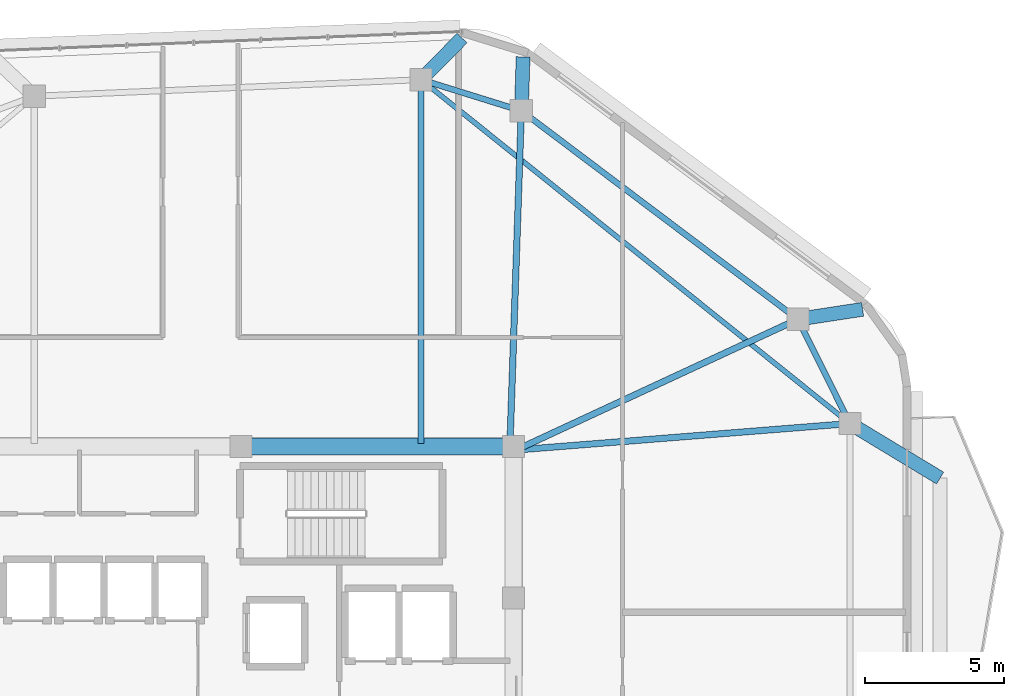
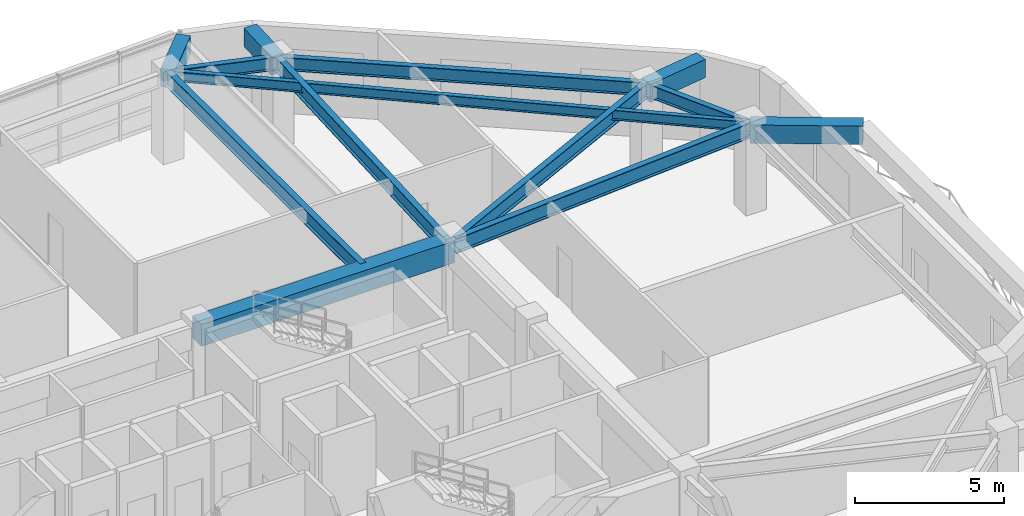
# One storey, part 3 of 12: 13 beams.
"""IFC4 building model written with IfcOpenShell, lengths in metres."""

from ifc_helpers import new_model, si_unit, direction, frame, origin, origin_2d, place, context, subcontext, project, spatial, rectangle, i_section, extrude, material, material_profile, profile_set, type_object, element, save


model = new_model("IFC4")

# Units and contexts
model_context = context("Model", 3, precision=1e-05, world=origin(), true_north=direction((0.0, 1.0)))
body_context = subcontext(model_context, "Body", "Model", "MODEL_VIEW")
ifc_project = project(units=[si_unit("LENGTHUNIT", "METRE"), si_unit("AREAUNIT", "SQUARE_METRE"), si_unit("VOLUMEUNIT", "CUBIC_METRE"), si_unit("PLANEANGLEUNIT", "RADIAN"), si_unit("MASSUNIT", "GRAM", prefix="KILO")], contexts=[model_context])

# Site, building, storey
site_placement = place(None, origin())
site = spatial("IfcSite", under=ifc_project, at=site_placement, CompositionType="ELEMENT")
building_placement = place(site_placement, origin())
building = spatial("IfcBuilding", under=site, at=building_placement, Name="Zulverin Broadcast Headquarters", CompositionType="ELEMENT")
storey_placement = place(building_placement, frame((0.0, 0.0, 285.800048828125)))
storey = spatial("IfcBuildingStorey", under=building, at=storey_placement, Name="L73", CompositionType="ELEMENT", Elevation=285.800048828125)

# Beams
ifc_material_1 = material(Name="Concrete C60/75", Category="concrete")
ifc_material_profile_1 = material_profile(ifc_material_1, rectangle(XDim=0.60009765625, YDim=0.89990234375, at=origin_2d()), Name="Concrete C60/75", Category="concrete")
ifc_profile_set_1 = profile_set([ifc_material_profile_1], Name="Concrete C60/75")
beam_type_1 = type_object("IfcBeamType", Name="BM-CB-600x900", PredefinedType="LINTEL", material=ifc_profile_set_1)
beam_1_placement = place(storey_placement, frame((48.27490234375, 33.074951171875, 3.08984375), z_axis=(-1.0, 0.0, 0.0), x_axis=(0.0, -1.0, 0.0)))
element("IfcBeam", 1, at=beam_1_placement, inside=storey, type_object=beam_type_1, Name="L73 Core Coupling Girder K05-K06", PredefinedType="LINTEL", context=body_context, shape_type="SweptSolid", body=[
    extrude(rectangle(XDim=0.60009765625, YDim=0.89990234375, at=origin_2d()), origin(), (0.0, 0.0, 1.0), 9.824951171875),
])
ifc_material_2 = material(Name="Concrete C40/50", Category="concrete")
ifc_material_profile_2 = material_profile(ifc_material_2, rectangle(XDim=0.5, YDim=0.75, at=origin_2d()), Name="Concrete C40/50", Category="concrete")
ifc_profile_set_2 = profile_set([ifc_material_profile_2], Name="Concrete C40/50")
beam_type_2 = type_object("IfcBeamType", Name="BM-RC-500x750", PredefinedType="BEAM", material=ifc_profile_set_2)
beam_2_placement = place(storey_placement, frame((58.52587890625, 37.661865234375, 3.1650390625), z_axis=(0.988495750069, 0.151248643286, 0.0), x_axis=(-0.151248643286, 0.988495750069, 0.0)))
element("IfcBeam", 2, at=beam_2_placement, inside=storey, type_object=beam_type_2, Name="L74 Plate Overhang Back-Spanned Beam OVR-07", PredefinedType="BEAM", context=body_context, shape_type="SweptSolid", body=[
    extrude(rectangle(XDim=0.5, YDim=0.75, at=origin_2d()), origin(), (0.0, 0.0, 1.0), 2.35986328125),
])
beam_3_placement = place(storey_placement, frame((48.55908203125, 45.172607421875, 3.1650390625), z_axis=(0.032637714701, 0.999467247877, 0.0), x_axis=(-0.999467247877, 0.032637714701, 0.0)))
element("IfcBeam", 3, at=beam_3_placement, inside=storey, type_object=beam_type_2, Name="L74 Plate Overhang Back-Spanned Beam OVR-08", PredefinedType="BEAM", context=body_context, shape_type="SweptSolid", body=[
    extrude(rectangle(XDim=0.5, YDim=0.75, at=origin_2d()), origin(), (0.0, 0.0, 1.0), 1.94482421875),
])
beam_4_placement = place(storey_placement, frame((44.944580078125, 46.296630859375, 3.1650390625), z_axis=(0.702159513415, 0.712019675094, 0.0), x_axis=(-0.712019675094, 0.702159513415, 0.0)))
element("IfcBeam", 4, at=beam_4_placement, inside=storey, type_object=beam_type_2, Name="L74 Plate Overhang Back-Spanned Beam OVR-09", PredefinedType="BEAM", context=body_context, shape_type="SweptSolid", body=[
    extrude(rectangle(XDim=0.5, YDim=0.75, at=origin_2d()), origin(), (0.0, 0.0, 1.0), 2.104736328125),
])
beam_5_placement = place(storey_placement, frame((60.39990234375, 33.903076171875, 3.1650390625), z_axis=(0.855759105742, -0.517374480371, 0.0), x_axis=(0.517374480371, 0.855759105742, 0.0)))
element("IfcBeam", 5, at=beam_5_placement, inside=storey, type_object=beam_type_2, Name="L74 Balcony Column-Framed Cantilever BAL_E-2", PredefinedType="BEAM", context=body_context, shape_type="SweptSolid", body=[
    extrude(rectangle(XDim=0.5, YDim=0.75, at=origin_2d()), origin(), (0.0, 0.0, 1.0), 3.800048828125),
])
ifc_material_3 = material(Name="Structural steel S355JR", Category="steel")
ifc_material_profile_3 = material_profile(ifc_material_3, i_section(OverallWidth=0.179443359375, OverallDepth=0.412841796875, WebThickness=0.009521484375, FlangeThickness=0.01611328125, at=origin_2d()), Name="Structural steel S355JR", Category="steel")
ifc_profile_set_3 = profile_set([ifc_material_profile_3], Name="Structural steel S355JR")
beam_type_3 = type_object("IfcBeamType", Name="BM-UB-406", PredefinedType="JOIST", material=ifc_profile_set_3)
beam_6_placement = place(storey_placement, frame((60.39990234375, 33.903076171875, 3.33349609375), z_axis=(-0.78014690603, 0.625596359493, 0.0), x_axis=(-0.625596359493, -0.78014690603, 0.0)))
element("IfcBeam", 6, at=beam_6_placement, inside=storey, type_object=beam_type_3, Name="L73 Chordal Floor Joist J-02", PredefinedType="JOIST", context=body_context, shape_type="SweptSolid", body=[
    extrude(i_section(OverallWidth=0.179443359375, OverallDepth=0.412841796875, WebThickness=0.009521484375, FlangeThickness=0.01611328125, at=origin_2d()), origin(), (0.0, 0.0, 1.0), 19.810791015625),
])
ifc_material_profile_4 = material_profile(ifc_material_3, i_section(OverallWidth=0.2119140625, OverallDepth=0.54443359375, WebThickness=0.0126953125, FlangeThickness=0.021240234375, at=origin_2d()), Name="Structural steel S355JR", Category="steel")
ifc_profile_set_4 = profile_set([ifc_material_profile_4], Name="Structural steel S355JR")
beam_type_4 = type_object("IfcBeamType", Name="BM-UB-533", PredefinedType="SPANDREL", material=ifc_profile_set_4)
beam_7_placement = place(storey_placement, frame((60.39990234375, 33.903076171875, 3.267578125), z_axis=(-0.446190250792, 0.894938131995, 0.0), x_axis=(-0.894938131995, -0.446190250792, 0.0)))
element("IfcBeam", 7, at=beam_7_placement, inside=storey, type_object=beam_type_4, Name="L73 Perimeter Spandrel Beam SP-06", PredefinedType="SPANDREL", context=body_context, shape_type="SweptSolid", body=[
    extrude(i_section(OverallWidth=0.2119140625, OverallDepth=0.54443359375, WebThickness=0.0126953125, FlangeThickness=0.021240234375, at=origin_2d()), origin(), (0.0, 0.0, 1.0), 4.199951171875),
])
beam_8_placement = place(storey_placement, frame((58.52587890625, 37.661865234375, 3.267578125), z_axis=(-0.798626958847, 0.60182637081, 0.0), x_axis=(-0.60182637081, -0.798626958847, 0.0)))
element("IfcBeam", 8, at=beam_8_placement, inside=storey, type_object=beam_type_4, Name="L73 Perimeter Spandrel Beam SP-07", PredefinedType="SPANDREL", context=body_context, shape_type="SweptSolid", body=[
    extrude(i_section(OverallWidth=0.2119140625, OverallDepth=0.54443359375, WebThickness=0.0126953125, FlangeThickness=0.021240234375, at=origin_2d()), origin(), (0.0, 0.0, 1.0), 12.47998046875),
])
beam_9_placement = place(storey_placement, frame((48.55908203125, 45.172607421875, 3.267578125), z_axis=(-0.954893359596, 0.296948938033, 0.0), x_axis=(-0.296948938033, -0.954893359596, 0.0)))
element("IfcBeam", 9, at=beam_9_placement, inside=storey, type_object=beam_type_4, Name="L73 Perimeter Spandrel Beam SP-08", PredefinedType="SPANDREL", context=body_context, shape_type="SweptSolid", body=[
    extrude(i_section(OverallWidth=0.2119140625, OverallDepth=0.54443359375, WebThickness=0.0126953125, FlangeThickness=0.021240234375, at=origin_2d()), origin(), (0.0, 0.0, 1.0), 3.78515625),
])
ifc_material_profile_5 = material_profile(ifc_material_3, i_section(OverallWidth=0.230224609375, OverallDepth=0.6171875, WebThickness=0.01318359375, FlangeThickness=0.022216796875, at=origin_2d()), Name="Structural steel S355JR", Category="steel")
ifc_profile_set_5 = profile_set([ifc_material_profile_5], Name="Structural steel S355JR")
beam_type_5 = type_object("IfcBeamType", Name="BM-UB-610", PredefinedType="BEAM", material=ifc_profile_set_5)
beam_10_placement = place(storey_placement, frame((48.375, 32.949951171875, 3.2314453125), z_axis=(0.996873444671, 0.079014779064, 0.0), x_axis=(-0.079014779064, 0.996873444671, 0.0)))
element("IfcBeam", 10, at=beam_10_placement, inside=storey, type_object=beam_type_5, Name="L73 Radial Primary Floor Beam RB-06", PredefinedType="BEAM", context=body_context, shape_type="SweptSolid", body=[
    extrude(i_section(OverallWidth=0.230224609375, OverallDepth=0.6171875, WebThickness=0.01318359375, FlangeThickness=0.022216796875, at=origin_2d()), origin(), (0.0, 0.0, 1.0), 12.0625),
])
beam_11_placement = place(storey_placement, frame((48.375, 32.949951171875, 3.2314453125), z_axis=(0.90704288978, 0.421038235912, 0.0), x_axis=(-0.421038235912, 0.90704288978, 0.0)))
element("IfcBeam", 11, at=beam_11_placement, inside=storey, type_object=beam_type_5, Name="L73 Radial Primary Floor Beam RB-07", PredefinedType="BEAM", context=body_context, shape_type="SweptSolid", body=[
    extrude(i_section(OverallWidth=0.230224609375, OverallDepth=0.6171875, WebThickness=0.01318359375, FlangeThickness=0.022216796875, at=origin_2d()), origin(), (0.0, 0.0, 1.0), 11.191162109375),
])
beam_12_placement = place(storey_placement, frame((48.14990234375, 33.175048828125, 3.2314453125), z_axis=(0.034085428247, 0.999418922965, 0.0), x_axis=(-0.999418922965, 0.034085428247, 0.0)))
element("IfcBeam", 12, at=beam_12_placement, inside=storey, type_object=beam_type_5, Name="L73 Radial Primary Floor Beam RB-08", PredefinedType="BEAM", context=body_context, shape_type="SweptSolid", body=[
    extrude(i_section(OverallWidth=0.230224609375, OverallDepth=0.6171875, WebThickness=0.01318359375, FlangeThickness=0.022216796875, at=origin_2d()), origin(), (0.0, 0.0, 1.0), 12.004638671875),
])
beam_13_placement = place(storey_placement, frame((44.944580078125, 33.175048828125, 3.2314453125), z_axis=(0.0, 1.0, 0.0), x_axis=(-1.0, 0.0, 0.0)))
element("IfcBeam", 13, at=beam_13_placement, inside=storey, type_object=beam_type_5, Name="L73 Radial Primary Floor Beam RB-09", PredefinedType="BEAM", context=body_context, shape_type="SweptSolid", body=[
    extrude(i_section(OverallWidth=0.230224609375, OverallDepth=0.6171875, WebThickness=0.01318359375, FlangeThickness=0.022216796875, at=origin_2d()), origin(), (0.0, 0.0, 1.0), 13.12158203125),
])

save(model, "model.ifc")
